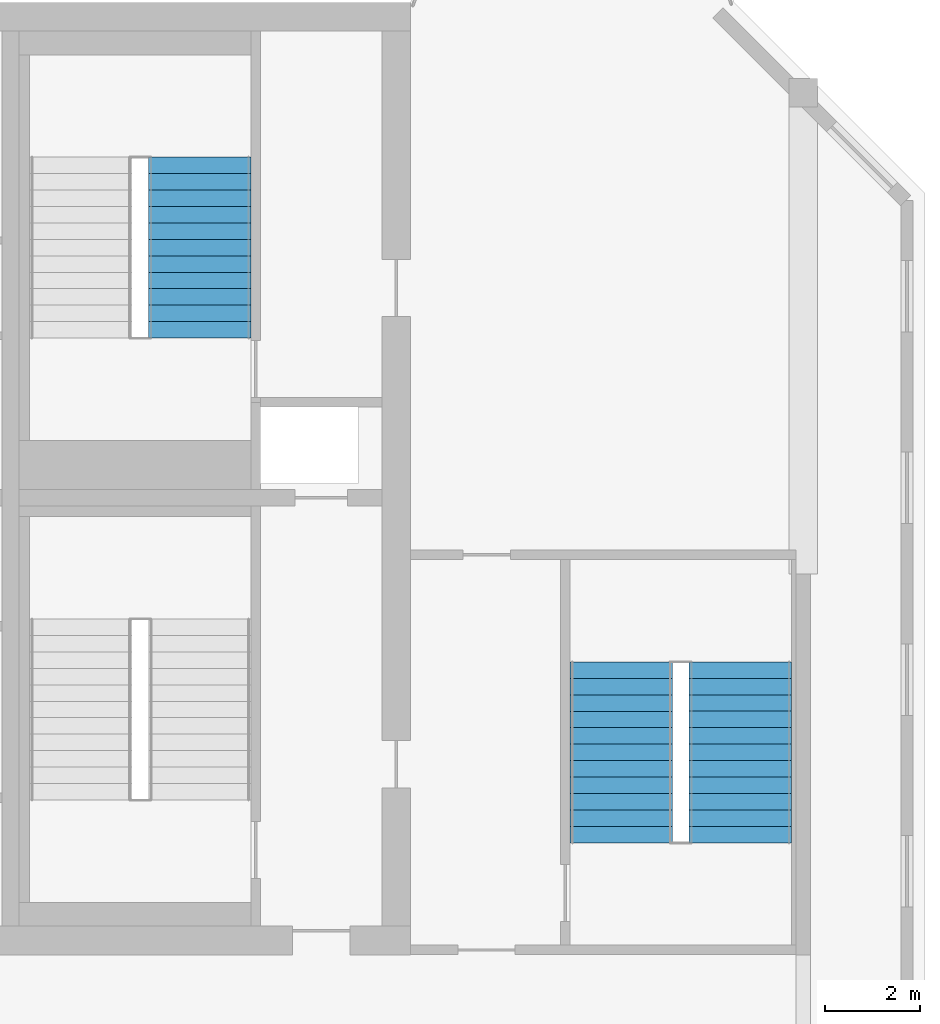
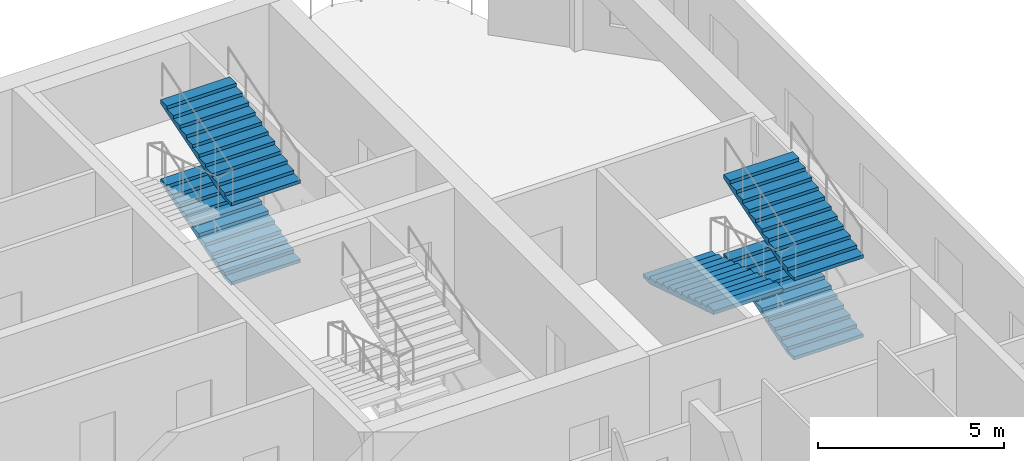
# One storey, part 9 of 12: 5 stair flights, 2 elements without a shape of their own.
"""IFC4 building model written with IfcOpenShell, lengths in metres."""

from ifc_helpers import new_model, si_unit, direction, frame, origin, place, context, subcontext, project, spatial, polyline, outline, extrude, source, transform, mapped, material, type_object, element, aggregate, save


model = new_model("IFC4")

# Units and contexts
model_context = context("Model", 3, precision=1e-05, world=origin(), true_north=direction((0.0, 1.0)))
body_context = subcontext(model_context, "Body", "Model", "MODEL_VIEW")
ifc_project = project(units=[si_unit("LENGTHUNIT", "METRE"), si_unit("AREAUNIT", "SQUARE_METRE"), si_unit("VOLUMEUNIT", "CUBIC_METRE"), si_unit("PLANEANGLEUNIT", "RADIAN"), si_unit("MASSUNIT", "GRAM", prefix="KILO")], contexts=[model_context])

# Site, building, storey
site_placement = place(None, origin())
site = spatial("IfcSite", under=ifc_project, at=site_placement, CompositionType="ELEMENT")
building_placement = place(site_placement, origin())
building = spatial("IfcBuilding", under=site, at=building_placement, Name="Vanashikhar Sky Hotel", CompositionType="ELEMENT")
storey_placement = place(building_placement, frame((0.0, 0.0, 253.0)))
storey = spatial("IfcBuildingStorey", under=building, at=storey_placement, Name="L61", CompositionType="ELEMENT", Elevation=253.0)

# Stair, stair flights
ifc_material = material(Name="Concrete M40", Category="concrete")
stair_type = type_object("IfcStairType", Name="Exit stair 2150", PredefinedType="DOUBLE_RETURN_STAIR", material=ifc_material)
stair_1_placement = place(storey_placement, origin())
stair_1 = element("IfcStair", 1, at=stair_1_placement, inside=storey, type_object=stair_type, Name="L61 Exit stair 4", PredefinedType="DOUBLE_RETURN_STAIR")
stair_flight_type = type_object("IfcStairFlightType", Name="Stair flight 2150", PredefinedType="STRAIGHT", material=ifc_material)
shared_shape = source(origin(), body_context, "Body", "SweptSolid", [
    extrude(outline(polyline([(0.0, 0.0), (0.0, 0.1083984375), (0.345458984375, 0.1083984375), (0.345458984375, 0.216552734375), (0.69091796875, 0.216552734375), (0.69091796875, 0.324951171875), (1.036376953125, 0.324951171875), (1.036376953125, 0.433349609375), (1.3818359375, 0.433349609375), (1.3818359375, 0.541748046875), (1.727294921875, 0.541748046875), (1.727294921875, 0.64990234375), (2.07275390625, 0.64990234375), (2.07275390625, 0.75830078125), (2.418212890625, 0.75830078125), (2.418212890625, 0.86669921875), (2.763671875, 0.86669921875), (2.763671875, 0.97509765625), (3.109130859375, 0.97509765625), (3.109130859375, 1.083251953125), (3.45458984375, 1.083251953125), (3.45458984375, 1.191650390625), (3.800048828125, 1.191650390625), (3.800048828125, 1.300048828125), (3.800048828125, 1.065673828125), (0.4013671875, 0.0), (0.0, 0.0)])), frame((0.0, 1.074951171875, 0.0), z_axis=(0.0, -1.0, 0.0), x_axis=(1.0, 0.0, 0.0)), (0.0, 0.0, 1.0), 2.14990234375),
])
stair_flight_1_placement = place(storey_placement, frame((82.52490234375, 24.35009765625, 0.0), z_axis=(0.0, 0.0, 1.0), x_axis=(0.0, 1.0, 0.0)))
stair_flight_1 = element("IfcStairFlight", 2, at=stair_flight_1_placement, type_object=stair_flight_type, Name="ST-E flight 1", NumberOfRisers=12, NumberOfTreads=11, PredefinedType="STRAIGHT", RiserHeight=0.108333333, TreadLength=0.345454545, context=body_context, shape_type="MappedRepresentation", body=[
    mapped(shared_shape, transform((0.0, 0.0, 0.0), scale=1.0)),
])
stair_flight_2_placement = place(storey_placement, frame((80.02490234375, 28.14990234375, 1.300048828125), z_axis=(0.0, 0.0, 1.0), x_axis=(0.0, -1.0, 0.0)))
stair_flight_2 = element("IfcStairFlight", 3, at=stair_flight_2_placement, type_object=stair_flight_type, Name="ST-E flight 2", NumberOfRisers=12, NumberOfTreads=11, PredefinedType="STRAIGHT", RiserHeight=0.108333333, TreadLength=0.345454545, context=body_context, shape_type="MappedRepresentation", body=[
    mapped(shared_shape, transform((0.0, 0.0, 0.0), scale=1.0)),
])
stair_flight_3_placement = place(storey_placement, frame((82.52490234375, 24.35009765625, 2.60009765625), z_axis=(0.0, 0.0, 1.0), x_axis=(0.0, 1.0, 0.0)))
stair_flight_3 = element("IfcStairFlight", 4, at=stair_flight_3_placement, type_object=stair_flight_type, Name="ST-E flight 3", NumberOfRisers=12, NumberOfTreads=11, PredefinedType="STRAIGHT", RiserHeight=0.108333333, TreadLength=0.345454545, context=body_context, shape_type="MappedRepresentation", body=[
    mapped(shared_shape, transform((0.0, 0.0, 0.0), scale=1.0)),
])
aggregate(stair_1, [stair_flight_1, stair_flight_2, stair_flight_3])

stair_2_placement = place(storey_placement, origin())
stair_2 = element("IfcStair", 5, at=stair_2_placement, inside=storey, type_object=stair_type, Name="L61 Exit stair 6", PredefinedType="DOUBLE_RETURN_STAIR")
stair_flight_4_placement = place(storey_placement, frame((71.175048828125, 34.949951171875, 0.0), z_axis=(0.0, 0.0, 1.0), x_axis=(0.0, 1.0, 0.0)))
stair_flight_4 = element("IfcStairFlight", 6, at=stair_flight_4_placement, type_object=stair_flight_type, Name="ST-C4 flight 1", NumberOfRisers=12, NumberOfTreads=11, PredefinedType="STRAIGHT", RiserHeight=0.108333333, TreadLength=0.345454545, context=body_context, shape_type="MappedRepresentation", body=[
    mapped(shared_shape, transform((0.0, 0.0, 0.0), scale=1.0)),
])
stair_flight_5_placement = place(storey_placement, frame((71.175048828125, 34.949951171875, 2.60009765625), z_axis=(0.0, 0.0, 1.0), x_axis=(0.0, 1.0, 0.0)))
stair_flight_5 = element("IfcStairFlight", 7, at=stair_flight_5_placement, type_object=stair_flight_type, Name="ST-C4 flight 3", NumberOfRisers=12, NumberOfTreads=11, PredefinedType="STRAIGHT", RiserHeight=0.108333333, TreadLength=0.345454545, context=body_context, shape_type="MappedRepresentation", body=[
    mapped(shared_shape, transform((0.0, 0.0, 0.0), scale=1.0)),
])
aggregate(stair_2, [stair_flight_4, stair_flight_5])

save(model, "model.ifc")
